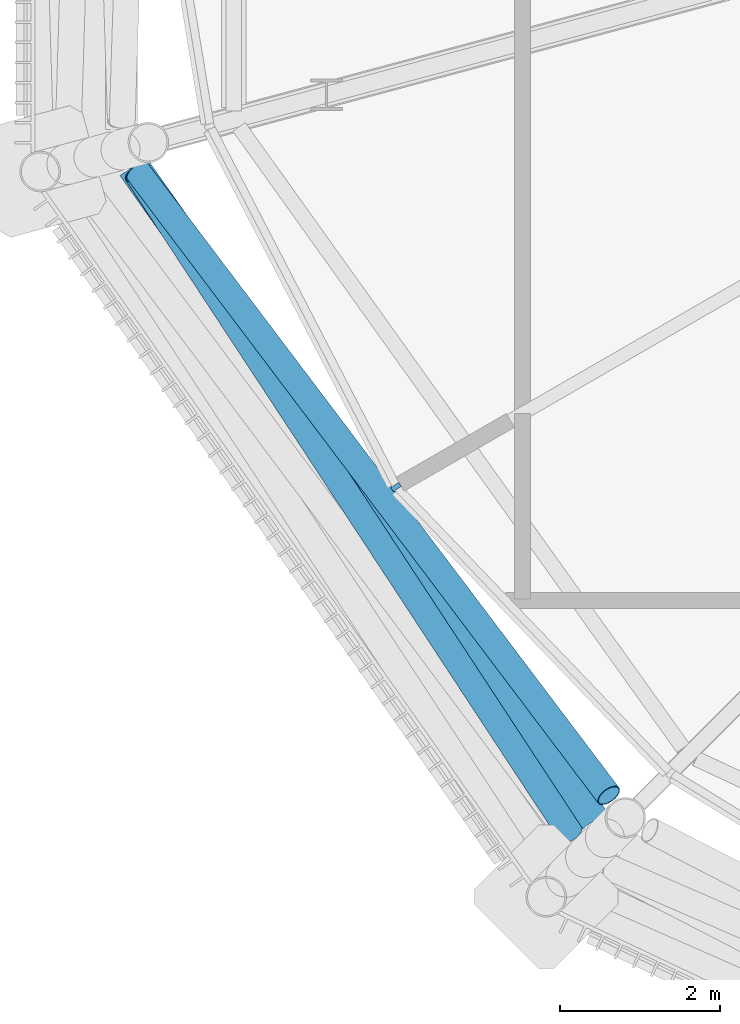
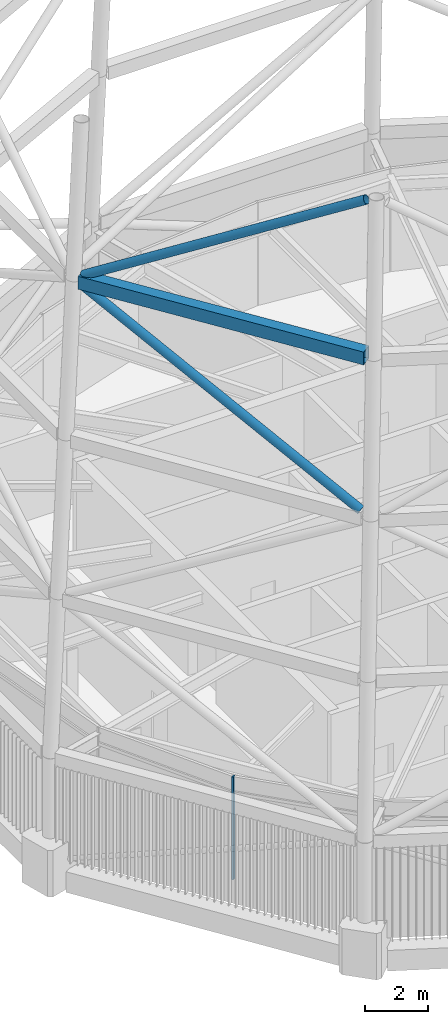
# One storey, part 5 of 71: 3 members, 1 beam, 1 element without a shape of its own.
"""IFC4 building model written with IfcOpenShell, lengths in metres."""

from ifc_helpers import new_model, si_unit, direction, frame, origin, origin_2d, place, context, subcontext, project, spatial, rectangle, hollow_rectangle, hollow_circle, extrude, material, material_profile, profile_set, type_object, element, aggregate, save


model = new_model("IFC4")

# Units and contexts
model_context = context("Model", 3, precision=1e-05, world=origin(), true_north=direction((0.0, 1.0)))
body_context = subcontext(model_context, "Body", "Model", "MODEL_VIEW")
ifc_project = project(units=[si_unit("LENGTHUNIT", "METRE"), si_unit("AREAUNIT", "SQUARE_METRE"), si_unit("VOLUMEUNIT", "CUBIC_METRE"), si_unit("PLANEANGLEUNIT", "RADIAN"), si_unit("MASSUNIT", "GRAM", prefix="KILO")], contexts=[model_context])

# Site, building, storey
site_placement = place(None, origin())
site = spatial("IfcSite", under=ifc_project, at=site_placement, CompositionType="ELEMENT")
building_placement = place(site_placement, origin())
building = spatial("IfcBuilding", under=site, at=building_placement, Name="Rimbun Link Towers", CompositionType="ELEMENT")
storey_placement = place(building_placement, frame((0.0, 0.0, 267.60009765625)))
storey = spatial("IfcBuildingStorey", under=building, at=storey_placement, Name="L65", CompositionType="ELEMENT", Elevation=267.60009765625)

# Curtain wall, member
ifc_material_1 = material(Name="Aluminium 6063-T6 louvre wall", Category="aluminium")
curtain_wall_type = type_object("IfcCurtainWallType", Name="CW6 plant floor louvre wall", PredefinedType="NOTDEFINED", material=ifc_material_1)
curtain_wall_placement = place(storey_placement, origin())
curtain_wall = element("IfcCurtainWall", 1, at=curtain_wall_placement, inside=storey, type_object=curtain_wall_type, Name="CW6 L65 T1", PredefinedType="NOTDEFINED")
ifc_material_2 = material(Name="Aluminium 6063-T6", Category="aluminium")
ifc_material_profile_1 = material_profile(ifc_material_2, rectangle(XDim=0.1201171875, YDim=0.06005859375, at=origin_2d()), Name="MULLION 60X120")
ifc_profile_set_1 = profile_set([ifc_material_profile_1], Name="Aluminium 6063-T6")
member_type_1 = type_object("IfcMemberType", Name="CW6 mullion 60X120", PredefinedType="MULLION", material=ifc_profile_set_1)
member_1_placement = place(storey_placement, frame((-48.328369140625, -9.578369140625, 0.0), z_axis=(0.0, 0.0, 1.0), x_axis=(-0.813347238366, -0.581778540204, 0.0)))
member_1 = element("IfcMember", 2, at=member_1_placement, type_object=member_type_1, Name="CW6 mullion", PredefinedType="MULLION", context=body_context, shape_type="SweptSolid", body=[
    extrude(rectangle(XDim=0.1201171875, YDim=0.06005859375, at=origin_2d()), origin(), (0.0, 0.0, 1.0), 4.0),
])
aggregate(curtain_wall, [member_1])

# Members
ifc_material_3 = material(Name="Steel S355J2H", Category="steel")
ifc_material_profile_2 = material_profile(ifc_material_3, hollow_circle(Radius=0.161865234375, WallThickness=0.011962890625, at=origin_2d()), Name="Crown frame brace CHS 324x12")
ifc_profile_set_2 = profile_set([ifc_material_profile_2], Name="Steel S355J2H")
member_type_2 = type_object("IfcMemberType", Name="Crown frame brace CHS 324x12", PredefinedType="BRACE", material=ifc_profile_set_2)
member_2_placement = place(storey_placement, frame((-46.147216796875, -13.915283203125, 16.197265625), z_axis=(-0.477412721378, 0.727131009684, 0.493312870522), x_axis=(-0.835925022865, -0.548843653646, 0.0)))
element("IfcMember", 3, at=member_2_placement, inside=storey, type_object=member_type_2, Name="CROWN FRAME brace T1 4-06", PredefinedType="BRACE", context=body_context, shape_type="SweptSolid", body=[
    extrude(hollow_circle(Radius=0.161865234375, WallThickness=0.011962890625, at=origin_2d()), origin(), (0.0, 0.0, 1.0), 11.3623046875),
])
member_3_placement = place(storey_placement, frame((-51.5537109375, -5.639404296875, 22.198974609375), z_axis=(0.522580076833, -0.692349752816, 0.497555909495), x_axis=(0.798160346134, 0.602445069578, 0.0)))
element("IfcMember", 4, at=member_3_placement, inside=storey, type_object=member_type_2, Name="CROWN FRAME brace T1 5-06", PredefinedType="BRACE", context=body_context, shape_type="SweptSolid", body=[
    extrude(hollow_circle(Radius=0.161865234375, WallThickness=0.011962890625, at=origin_2d()), origin(), (0.0, 0.0, 1.0), 11.258544921875),
])

# Beam
ifc_material_4 = material(Name="Steel S355J2", Category="steel")
ifc_material_profile_3 = material_profile(ifc_material_4, hollow_rectangle(XDim=0.39990234375, YDim=0.5, WallThickness=0.02001953125, at=origin_2d()), Name="Crown frame ring beam BOX 400x500x20")
ifc_profile_set_3 = profile_set([ifc_material_profile_3], Name="Steel S355J2")
beam_type = type_object("IfcBeamType", Name="Crown frame ring beam BOX 400x500x20", PredefinedType="BEAM", material=ifc_profile_set_3)
beam_placement = place(storey_placement, frame((-51.616455078125, -5.570068359375, 22.0), z_axis=(0.575796767289, -0.817592858811, 0.0), x_axis=(0.817592858811, 0.575796767289, 0.0)))
element("IfcBeam", 5, at=beam_placement, inside=storey, type_object=beam_type, Name="CROWN FRAME ring beam T1 4-06", PredefinedType="BEAM", context=body_context, shape_type="SweptSolid", body=[
    extrude(hollow_rectangle(XDim=0.39990234375, YDim=0.5, WallThickness=0.02001953125, at=origin_2d()), origin(), (0.0, 0.0, 1.0), 10.006103515625),
])

save(model, "model.ifc")
